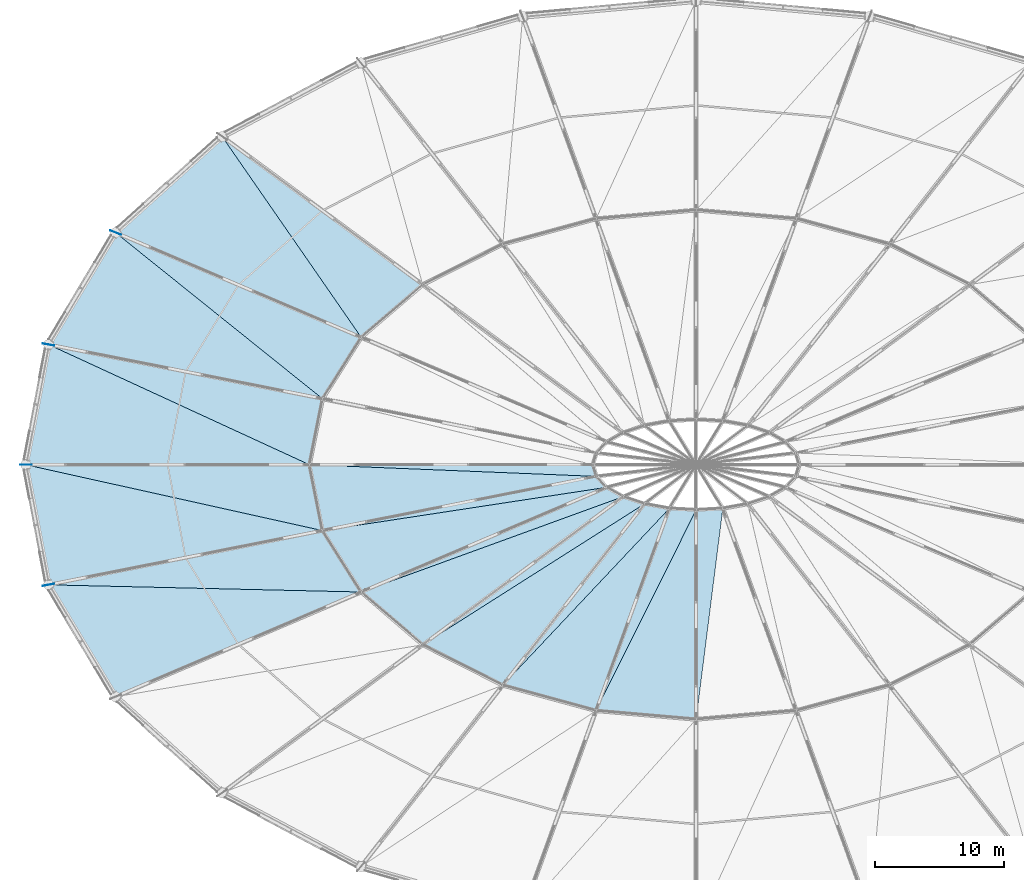
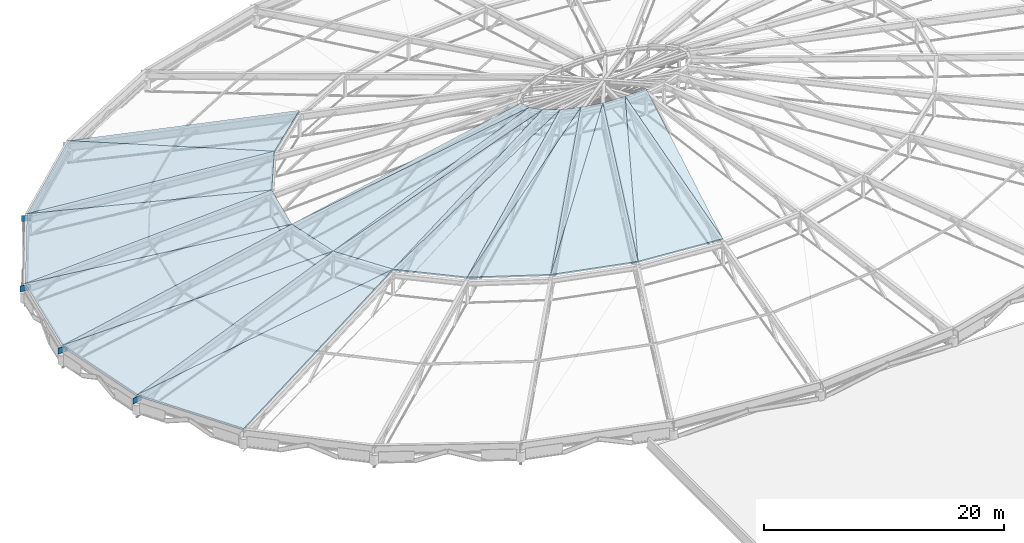
# One storey, part 48 of 83: 23 slabs, 4 plates, 1 element without a shape of its own.
"""IFC4 building model written with IfcOpenShell, lengths in metres."""

from ifc_helpers import new_model, si_unit, direction, frame, origin, origin_2d, place, context, subcontext, project, spatial, polyline, rectangle, outline, extrude, material, layer, layer_set, type_object, element, aggregate, save


model = new_model("IFC4")

# Units and contexts
model_context = context("Model", 3, precision=1e-05, world=origin(), true_north=direction((0.0, 1.0)))
body_context = subcontext(model_context, "Body", "Model", "MODEL_VIEW")
ifc_project = project(units=[si_unit("LENGTHUNIT", "METRE"), si_unit("AREAUNIT", "SQUARE_METRE"), si_unit("VOLUMEUNIT", "CUBIC_METRE"), si_unit("PLANEANGLEUNIT", "RADIAN"), si_unit("MASSUNIT", "GRAM", prefix="KILO")], contexts=[model_context])

# Site, building, storey
site_placement = place(None, origin())
site = spatial("IfcSite", under=ifc_project, at=site_placement, CompositionType="ELEMENT")
building_placement = place(site_placement, origin())
building = spatial("IfcBuilding", under=site, at=building_placement, Name="Kivolera Central Railway Station", CompositionType="ELEMENT")
storey_placement = place(building_placement, frame((0.0, 0.0, 14.39990234375)))
storey = spatial("IfcBuildingStorey", under=building, at=storey_placement, Name="L03", CompositionType="ELEMENT", Elevation=14.39990234375)

# Plates
ifc_material_1 = material(Name="Steel S355", Category="steel")
ifc_layer_1 = layer(ifc_material_1, 0.028076171875, Name="Steel S355")
ifc_layer_set_1 = layer_set([ifc_layer_1], Name="Steel S355")
plate_type = type_object("IfcPlateType", Name="PLT-GUS-900", PredefinedType="SHEET", material=ifc_layer_set_1)
for number, where, z_axis, x_axis, name in (
    (1, (18.967041015625, 108.0, 1.050048828125), (0.0, 0.0, 1.0), (-0.92857006367, 0.371157159241, 0.0), "Dome Springing Node Gusset Plate NP-11"),
    (2, (13.77197265625, 99.31689453125, 1.050048828125), (0.0, 0.0, 1.0), (-0.983226269944, 0.182389972563, 0.0), "Dome Springing Node Gusset Plate NP-12"),
    (3, (12.0, 90.0, 1.050048828125), (0.0, 0.0, 1.0), (-1.0, 0.0, 0.0), "Dome Springing Node Gusset Plate NP-13"),
    (4, (13.77197265625, 80.68310546875, 1.050048828125), (0.0, 0.0, 1.0), (-0.983226269944, -0.182389972563, 0.0), "Dome Springing Node Gusset Plate NP-14"),
):
    element("IfcPlate", number, at=place(storey_placement, frame(where, z_axis=z_axis, x_axis=x_axis)), inside=storey, type_object=plate_type, Name=name, PredefinedType="SHEET", context=body_context, shape_type="SweptSolid", body=[
        extrude(rectangle(XDim=0.89990234375, YDim=0.028076171875, at=origin_2d()), origin(), (0.0, 0.0, 1.0), 0.60009765625),
    ])

# Roof, slabs
roof_type = type_object("IfcRoofType", Name="ROOF-DOME-MAIN", PredefinedType="DOME_ROOF", material=ifc_material_1)
roof_placement = place(storey_placement, origin())
roof = element("IfcRoof", 5, at=roof_placement, inside=storey, type_object=roof_type, Name="Oval Concourse Radial-Ribbed Cable-Net Dome Roof", PredefinedType="DOME_ROOF")
ifc_material_2 = material(Name="Precast concrete C40/50", Category="concrete")
ifc_layer_2 = layer(ifc_material_2, 0.179931640625, Name="Precast concrete C40/50")
ifc_layer_set_2 = layer_set([ifc_layer_2], Name="Precast concrete C40/50")
slab_type = type_object("IfcSlabType", Name="SLB-DOME-180", PredefinedType="ROOF", material=ifc_layer_set_2)
slab_1_placement = place(storey_placement, frame((27.22998046875, 115.4560546875, 1.800048828125), z_axis=(-0.159259290705, 0.176494128811, 0.971332229888), x_axis=(-0.74242638035, -0.669927660095, 0.0)))
slab_1 = element("IfcSlab", 6, at=slab_1_placement, type_object=slab_type, Name="Oval Dome Faceted Roof Panel F1A-09", PredefinedType="ROOF", context=body_context, shape_type="SweptSolid", body=[
    extrude(outline(polyline([(0.0, 0.0), (11.12964149957223, 0.0), (2.4280948893533942, 19.350410550143494), (0.0, 0.0)])), origin(), (0.0, 0.0, -1.0), 0.179931640625),
])
slab_2_placement = place(storey_placement, frame((27.22998046875, 115.4560546875, 1.800048828125), z_axis=(-0.154352979159, 0.179938738314, 0.971492258476), x_axis=(0.553224129975, -0.798940169601, 0.23587638163)))
slab_2 = element("IfcSlab", 7, at=slab_2_placement, type_object=slab_type, Name="Oval Dome Faceted Roof Panel F1B-09", PredefinedType="ROOF", context=body_context, shape_type="SweptSolid", body=[
    extrude(outline(polyline([(0.0, 0.0), (19.502154579707565, -8.049116928532385e-16), (18.872228455949386, 6.250317534818054), (0.0, 0.0)])), origin(), (0.0, 0.0, -1.0), 0.179931640625),
])
slab_3_placement = place(storey_placement, frame((18.967041015625, 108.0, 1.800048828125), z_axis=(-0.188816492819, 0.112968176087, 0.975492964214), x_axis=(-0.513420234648, -0.85813732156, 0.0)))
slab_3 = element("IfcSlab", 8, at=slab_3_placement, type_object=slab_type, Name="Oval Dome Faceted Roof Panel F1A-10", PredefinedType="ROOF", context=body_context, shape_type="SweptSolid", body=[
    extrude(outline(polyline([(0.0, 0.0), (10.118550085857924, 8.881784197001252e-16), (2.816695072552241, 20.906624324549725), (0.0, 0.0)])), origin(), (0.0, 0.0, -1.0), 0.179931640625),
])
slab_4_placement = place(storey_placement, frame((18.967041015625, 108.0, 1.800048828125), z_axis=(-0.185725075329, 0.116867139512, 0.975627115294), x_axis=(0.761059039623, -0.610932705443, 0.218060467824)))
slab_4 = element("IfcSlab", 9, at=slab_4_placement, type_object=slab_type, Name="Oval Dome Faceted Roof Panel F1B-10", PredefinedType="ROOF", context=body_context, shape_type="SweptSolid", body=[
    extrude(outline(polyline([(0.0, 0.0), (21.095514020274415, -2.1788126858268697e-15), (20.4666259880278, 5.592184057691638), (0.0, 0.0)])), origin(), (0.0, 0.0, -1.0), 0.179931640625),
])
slab_5_placement = place(storey_placement, frame((13.77197265625, 99.31689453125, 1.800048828125), z_axis=(-0.204514173263, 0.03889638566, 0.97809049894), x_axis=(-0.186840028686, -0.982390351989, 0.0)))
slab_5 = element("IfcSlab", 10, at=slab_5_placement, type_object=slab_type, Name="Oval Dome Faceted Roof Panel F1A-11", PredefinedType="ROOF", context=body_context, shape_type="SweptSolid", body=[
    extrude(outline(polyline([(0.0, 0.0), (9.48390271992147, 0.0), (5.3734220888187085, 22.096715761134412), (0.0, 0.0)])), origin(), (0.0, 0.0, -1.0), 0.179931640625),
])
slab_6_placement = place(storey_placement, frame((13.77197265625, 99.31689453125, 1.800048828125), z_axis=(-0.203695458225, 0.040721581171, 0.978187054262), x_axis=(0.889508476753, -0.409701673907, 0.202284967762)))
slab_6 = element("IfcSlab", 11, at=slab_6_placement, type_object=slab_type, Name="Oval Dome Faceted Roof Panel F1B-11", PredefinedType="ROOF", context=body_context, shape_type="SweptSolid", body=[
    extrude(outline(polyline([(0.0, 0.0), (22.740679681420488, 3.608224830031759e-16), (21.555313258998545, 5.0766620519425185), (0.0, 0.0)])), origin(), (0.0, 0.0, -1.0), 0.179931640625),
])
slab_7_placement = place(storey_placement, frame((12.0, 90.0, 1.800048828125), z_axis=(-0.204072988289, -0.038812477045, 0.978185977755), x_axis=(0.186840028686, -0.982390351989, 0.0)))
slab_7 = element("IfcSlab", 12, at=slab_7_placement, type_object=slab_type, Name="Oval Dome Faceted Roof Panel F1A-12", PredefinedType="ROOF", context=body_context, shape_type="SweptSolid", body=[
    extrude(outline(polyline([(0.0, 0.0), (9.48390271992147, 0.0), (9.323464991545269, 22.144486605439855), (0.0, 0.0)])), origin(), (0.0, 0.0, -1.0), 0.179931640625),
])
slab_8_placement = place(storey_placement, frame((12.0, 90.0, 1.800048828125), z_axis=(-0.204497949534, -0.040882010447, 0.97801290884), x_axis=(0.958163816825, -0.212761587314, 0.191453929422)))
slab_8 = element("IfcSlab", 13, at=slab_8_placement, type_object=slab_type, Name="Oval Dome Faceted Roof Panel F1B-12", PredefinedType="ROOF", context=body_context, shape_type="SweptSolid", body=[
    extrude(outline(polyline([(0.0, 0.0), (24.027178079563885, -4.440892098500626e-16), (21.960310742164108, 4.785984805097959), (0.0, 0.0)])), origin(), (0.0, 0.0, -1.0), 0.179931640625),
])
slab_9_placement = place(storey_placement, frame((34.0, 90.0, 6.400146484375), z_axis=(-0.203674345644, -0.040717360469, 0.978191626157), x_axis=(0.196035080602, -0.980596883114, 0.0)))
slab_9 = element("IfcSlab", 14, at=slab_9_placement, type_object=slab_type, Name="Oval Dome Faceted Roof Panel F2A-12", PredefinedType="ROOF", context=body_context, shape_type="SweptSolid", body=[
    extrude(outline(polyline([(0.0, 0.0), (5.213213130597923, 0.0), (5.254705917119084, 22.146147105265047), (0.0, 0.0)])), origin(), (0.0, 0.0, -1.0), 0.179931640625),
])
slab_10_placement = place(storey_placement, frame((34.0, 90.0, 6.400146484375), z_axis=(-0.20427074384, -0.061539933067, 0.976978147068), x_axis=(0.978556977115, -0.03980516214, 0.202093521932)))
slab_10 = element("IfcSlab", 15, at=slab_10_placement, type_object=slab_type, Name="Oval Dome Faceted Roof Panel F2B-12", PredefinedType="ROOF", context=body_context, shape_type="SweptSolid", body=[
    extrude(outline(polyline([(0.0, 0.0), (22.76101416640844, -1.1102230246251565e-16), (22.457854093869948, 0.8963491862307472), (0.0, 0.0)])), origin(), (0.0, 0.0, -1.0), 0.179931640625),
])
slab_11_placement = place(storey_placement, frame((13.77197265625, 80.68310546875, 1.800048828125), z_axis=(-0.187708318886, -0.112305159916, 0.97578334587), x_axis=(0.513420234648, -0.85813732156, 0.0)))
slab_11 = element("IfcSlab", 16, at=slab_11_placement, type_object=slab_type, Name="Oval Dome Faceted Roof Panel F1A-13", PredefinedType="ROOF", context=body_context, shape_type="SweptSolid", body=[
    extrude(outline(polyline([(0.0, 0.0), (10.118550085857924, -8.881784197001252e-16), (12.927867661462578, 21.030050799470608), (0.0, 0.0)])), origin(), (0.0, 0.0, -1.0), 0.179931640625),
])
slab_12_placement = place(storey_placement, frame((13.77197265625, 80.68310546875, 1.800048828125), z_axis=(-0.187711736545, -0.118117242187, 0.975096211182), x_axis=(0.982224161158, -0.022608284993, 0.186345278148)))
slab_12 = element("IfcSlab", 17, at=slab_12_placement, type_object=slab_type, Name="Oval Dome Faceted Roof Panel F1B-13", PredefinedType="ROOF", context=body_context, shape_type="SweptSolid", body=[
    extrude(outline(polyline([(0.0, 0.0), (24.685882582978564, 0.0), (21.6344058167904, 4.728267361054932), (0.0, 0.0)])), origin(), (0.0, 0.0, -1.0), 0.179931640625),
])
slab_13_placement = place(storey_placement, frame((35.02197265625, 84.887939453125, 6.400146484375), z_axis=(-0.185708549271, -0.116856740523, 0.975631506729), x_axis=(0.532581967899, -0.846378430413, 0.0)))
slab_13 = element("IfcSlab", 18, at=slab_13_placement, type_object=slab_type, Name="Oval Dome Faceted Roof Panel F2A-13", PredefinedType="ROOF", context=body_context, shape_type="SweptSolid", body=[
    extrude(outline(polyline([(0.0, 0.0), (5.627434823452291, 0.0), (8.89788286854379, 20.964122620954893), (0.0, 0.0)])), origin(), (0.0, 0.0, -1.0), 0.179931640625),
])
slab_14_placement = place(storey_placement, frame((35.02197265625, 84.887939453125, 6.400146484375), z_axis=(-0.176807967583, -0.167397303414, 0.969905709545), x_axis=(0.968200603055, 0.147625480305, 0.201976012956)))
slab_14 = element("IfcSlab", 19, at=slab_14_placement, type_object=slab_type, Name="Oval Dome Faceted Roof Panel F2B-13", PredefinedType="ROOF", context=body_context, shape_type="SweptSolid", body=[
    extrude(outline(polyline([(0.0, 0.0), (22.774256449086497, 2.220446049250313e-16), (22.12518924000817, 0.9641339913101656), (0.0, 0.0)])), origin(), (0.0, 0.0, -1.0), 0.179931640625),
])
slab_15_placement = place(storey_placement, frame((38.01904296875, 80.125, 6.400146484375), z_axis=(-0.154357118089, -0.179943563319, 0.971490707169), x_axis=(0.759006904764, -0.651082574271, 0.0)))
slab_15 = element("IfcSlab", 20, at=slab_15_placement, type_object=slab_type, Name="Oval Dome Faceted Roof Panel F2A-14", PredefinedType="ROOF", context=body_context, shape_type="SweptSolid", body=[
    extrude(outline(polyline([(0.0, 0.0), (6.281980277543623, 0.0), (10.60808959344854, 19.40230878432082), (0.0, 0.0)])), origin(), (0.0, 0.0, -1.0), 0.179931640625),
])
slab_16_placement = place(storey_placement, frame((38.01904296875, 80.125, 6.400146484375), z_axis=(-0.133079154548, -0.233269386727, 0.963262857086), x_axis=(0.919099615551, 0.334641600867, 0.208016575451)))
slab_16 = element("IfcSlab", 21, at=slab_16_placement, type_object=slab_type, Name="Oval Dome Faceted Roof Panel F2B-14", PredefinedType="ROOF", context=body_context, shape_type="SweptSolid", body=[
    extrude(outline(polyline([(0.0, 0.0), (22.112918192422367, -4.440892098500626e-16), (21.187394011761715, 1.1334031376520115), (0.0, 0.0)])), origin(), (0.0, 0.0, -1.0), 0.179931640625),
])
slab_17_placement = place(storey_placement, frame((42.787109375, 76.034912109375, 6.400146484375), z_axis=(-0.114505383953, -0.226641752417, 0.967223879517), x_axis=(0.892553489172, -0.450941536085, 0.0)))
slab_17 = element("IfcSlab", 22, at=slab_17_placement, type_object=slab_type, Name="Oval Dome Faceted Roof Panel F2A-15", PredefinedType="ROOF", context=body_context, shape_type="SweptSolid", body=[
    extrude(outline(polyline([(0.0, 0.0), (6.960804814916162, 0.0), (10.432793839233575, 18.114999823559888), (0.0, 0.0)])), origin(), (0.0, 0.0, -1.0), 0.179931640625),
])
slab_18_placement = place(storey_placement, frame((42.787109375, 76.034912109375, 6.400146484375), z_axis=(-0.0886957889, -0.264373438413, 0.960333141203), x_axis=(0.823407610243, 0.523050227396, 0.220041739257)))
slab_18 = element("IfcSlab", 23, at=slab_18_placement, type_object=slab_type, Name="Oval Dome Faceted Roof Panel F2B-15", PredefinedType="ROOF", context=body_context, shape_type="SweptSolid", body=[
    extrude(outline(polyline([(0.0, 0.0), (20.904458995619205, 4.440892098500626e-16), (19.830854971464756, 1.379129825659565), (0.0, 0.0)])), origin(), (0.0, 0.0, -1.0), 0.179931640625),
])
slab_19_placement = place(storey_placement, frame((49.0, 72.89599609375, 6.400146484375), z_axis=(-0.070091659864, -0.257043229805, 0.963854728281), x_axis=(0.964774338312, -0.263078840152, 0.0)))
slab_19 = element("IfcSlab", 24, at=slab_19_placement, type_object=slab_type, Name="Oval Dome Faceted Roof Panel F2A-16", PredefinedType="ROOF", context=body_context, shape_type="SweptSolid", body=[
    extrude(outline(polyline([(0.0, 0.0), (7.499274322052701, 2.220446049250313e-16), (8.863319362274627, 17.26488044530646), (0.0, 0.0)])), origin(), (0.0, 0.0, -1.0), 0.179931640625),
])
slab_20_placement = place(storey_placement, frame((49.0, 72.89599609375, 6.400146484375), z_axis=(-0.049884740974, -0.274853095144, 0.960191277146), x_axis=(0.666198056485, 0.707108154861, 0.23701942297)))
slab_20 = element("IfcSlab", 25, at=slab_20_placement, type_object=slab_type, Name="Oval Dome Faceted Roof Panel F2B-16", PredefinedType="ROOF", context=body_context, shape_type="SweptSolid", body=[
    extrude(outline(polyline([(0.0, 0.0), (19.407074146001445, -4.440892098500626e-16), (18.369564929639854, 1.6634334036265872), (0.0, 0.0)])), origin(), (0.0, 0.0, -1.0), 0.179931640625),
])
slab_21_placement = place(storey_placement, frame((56.235107421875, 70.923095703125, 6.400146484375), z_axis=(-0.023603341634, -0.272290272279, 0.961925615568), x_axis=(0.996263942133, -0.086360625325, 0.0)))
slab_21 = element("IfcSlab", 26, at=slab_21_placement, type_object=slab_type, Name="Oval Dome Faceted Roof Panel F2A-17", PredefinedType="ROOF", context=body_context, shape_type="SweptSolid", body=[
    extrude(outline(polyline([(0.0, 0.0), (7.794011455943983, -1.1102230246251565e-16), (6.390651294413852, 16.830084153747947), (0.0, 0.0)])), origin(), (0.0, 0.0, -1.0), 0.179931640625),
])
slab_22_placement = place(storey_placement, frame((56.235107421875, 70.923095703125, 6.400146484375), z_axis=(-0.01583932071, -0.275903403659, 0.961054851592), x_axis=(0.431321584124, 0.865260526077, 0.255511082109)))
slab_22 = element("IfcSlab", 27, at=slab_22_placement, type_object=slab_type, Name="Oval Dome Faceted Roof Panel F2B-17", PredefinedType="ROOF", context=body_context, shape_type="SweptSolid", body=[
    extrude(outline(polyline([(0.0, 0.0), (18.002559723245785, -6.661338147750939e-16), (17.21214978136887, 1.9179717323785275), (0.0, 0.0)])), origin(), (0.0, 0.0, -1.0), 0.179931640625),
])
slab_23_placement = place(storey_placement, frame((64.0, 70.25, 6.400146484375), z_axis=(0.015634339785, -0.272332863242, 0.962076077563), x_axis=(0.120911570868, 0.955647541197, 0.268548262021)))
slab_23 = element("IfcSlab", 28, at=slab_23_placement, type_object=slab_type, Name="Oval Dome Faceted Roof Panel F2B-18", PredefinedType="ROOF", context=body_context, shape_type="SweptSolid", body=[
    extrude(outline(polyline([(0.0, 0.0), (17.128591639414378, 1.942890293094024e-16), (16.764555211622707, 2.0422636758415007), (0.0, 0.0)])), origin(), (0.0, 0.0, -1.0), 0.179931640625),
])
aggregate(roof, [slab_1, slab_2, slab_3, slab_4, slab_5, slab_6, slab_7, slab_8, slab_9, slab_10, slab_11, slab_12, slab_13, slab_14, slab_15, slab_16, slab_17, slab_18, slab_19, slab_20, slab_21, slab_22, slab_23])

save(model, "model.ifc")
